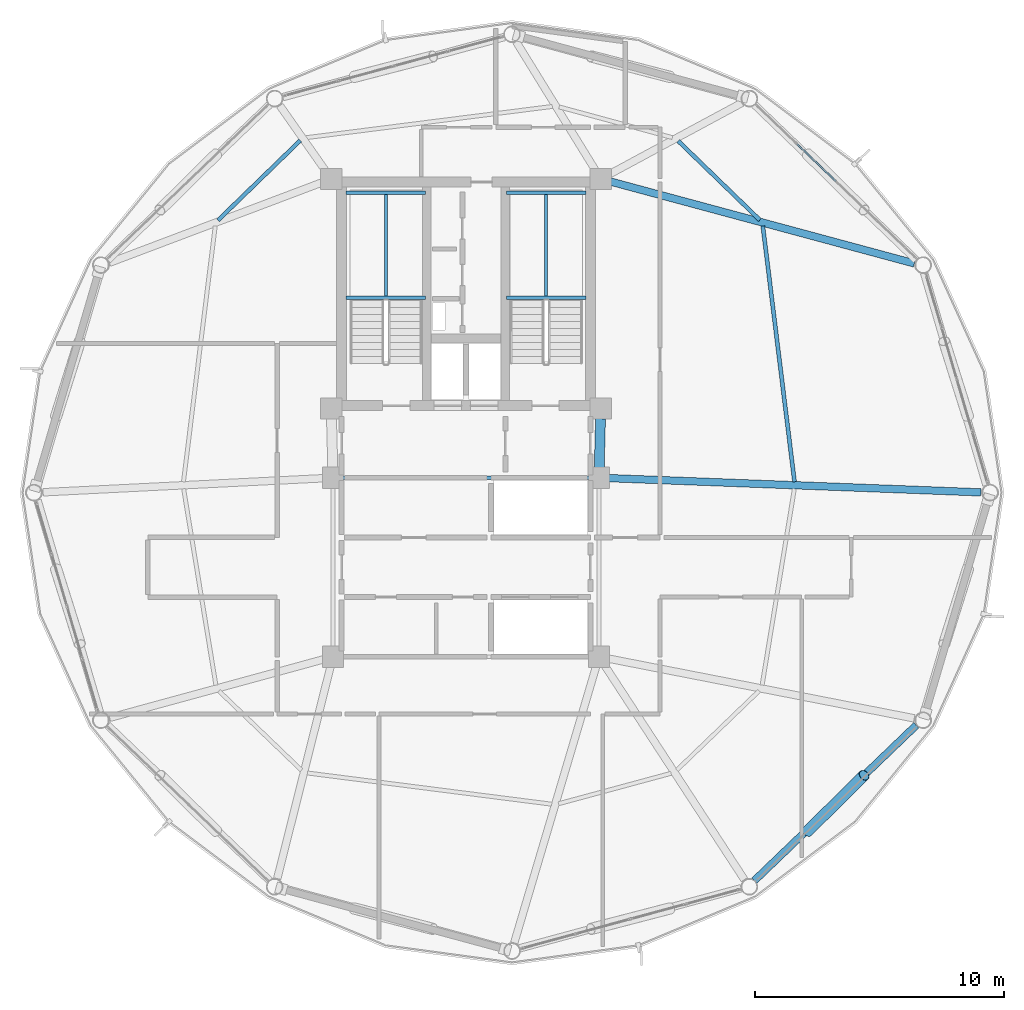
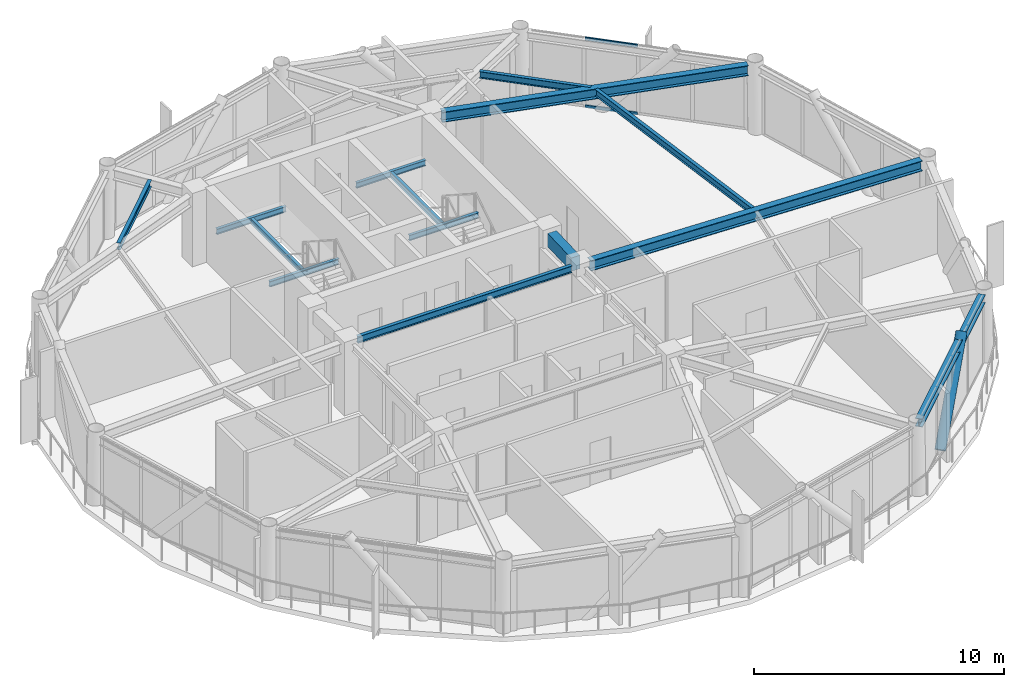
# One storey, part 14 of 28: 14 beams, 3 members, 1 element without a shape of its own.
"""IFC4 building model written with IfcOpenShell, lengths in metres."""

import ifcopenshell
import ifcopenshell.guid

model = None  # the IFC model being written
_history = None  # IfcOwnerHistory: only IFC2X3 demands one
_inside = {}  # id of a spatial element -> (the spatial element, [elements in it])
_under = {}  # id of a project, library or spatial element -> (it, [spatial elements below it])
_declared = {}  # id of a project -> (the project, [libraries it declares])
_typed = {}  # id of a type object -> (the type object, [elements of that type])
_made_of = {}  # id of a material, layer set ... -> (it, [elements and type objects made of it])


def new_model(schema):
    """Start an empty IFC model of exactly this schema.

    Asked for "IFC4X3", IfcOpenShell would pick the latest addendum, in which some entities
    have other attributes; the version numbers below select the first issue.
    IFC2X3 requires an IfcOwnerHistory on every rooted entity: one is made here for all.
    """
    global model, _history
    if schema == "IFC4X3":
        model = ifcopenshell.file(schema_version=(4, 3, 0, 0))
    else:
        model = ifcopenshell.file(schema=schema)
    _inside.clear()
    _under.clear()
    _declared.clear()
    _typed.clear()
    _made_of.clear()
    _history = None
    if model.schema == "IFC2X3":
        org = make("IfcOrganization", Name="unknown")
        user = make(
            "IfcPersonAndOrganization",
            ThePerson=make("IfcPerson", FamilyName="unknown"),
            TheOrganization=org,
        )
        app = make(
            "IfcApplication",
            ApplicationDeveloper=org,
            Version="unknown",
            ApplicationFullName="unknown",
            ApplicationIdentifier="unknown",
        )
        _history = make(
            "IfcOwnerHistory",
            OwningUser=user,
            OwningApplication=app,
            ChangeAction="ADDED",
            CreationDate=0,
        )
    return model


def make(cls, **values):
    """One entity of the class cls with the attributes given. An attribute that is None is left unset."""
    return model.create_entity(
        cls, **{name: value for name, value in values.items() if value is not None}
    )


def rooted(cls, **values):
    """An entity with a GlobalId (a new one), such as an element, a storey or a relation."""
    return make(cls, GlobalId=ifcopenshell.guid.new(), OwnerHistory=_history, **values)


def si_unit(unit_type, name, prefix=None):
    """IfcSIUnit, for example si_unit("LENGTHUNIT", "METRE", prefix="MILLI")."""
    return make("IfcSIUnit", UnitType=unit_type, Prefix=prefix, Name=name)


def assignment(units):
    """IfcUnitAssignment: the units of a project."""
    return None if units is None else make("IfcUnitAssignment", Units=units)


def point(xyz):
    """IfcCartesianPoint."""
    return None if xyz is None else make("IfcCartesianPoint", Coordinates=xyz)


def direction(xyz):
    """IfcDirection."""
    return None if xyz is None else make("IfcDirection", DirectionRatios=xyz)


def frame(location, z_axis=None, x_axis=None):
    """IfcAxis2Placement3D, a coordinate frame: its origin and axes. An axis left out is left unset."""
    return make(
        "IfcAxis2Placement3D",
        Location=point(location),
        Axis=direction(z_axis),
        RefDirection=direction(x_axis),
    )


def frame_2d(location, x_axis=None):
    """IfcAxis2Placement2D, a coordinate frame in the plane: its origin and x axis."""
    return make(
        "IfcAxis2Placement2D", Location=point(location), RefDirection=direction(x_axis)
    )


def origin():
    """The frame at (0, 0, 0) with its axes left unset."""
    return frame((0.0, 0.0, 0.0))


def origin_2d():
    """The frame at (0, 0) in the plane with its x axis left unset."""
    return frame_2d((0.0, 0.0))


def place(relative_to, where):
    """IfcLocalPlacement: puts the frame where relative to a parent placement (None: the world)."""
    return make(
        "IfcLocalPlacement", PlacementRelTo=relative_to, RelativePlacement=where
    )


def context(
    kind, dimensions, precision=None, world=None, true_north=None, identifier=None
):
    """IfcGeometricRepresentationContext, for example the 3D "Model" context."""
    return make(
        "IfcGeometricRepresentationContext",
        ContextIdentifier=identifier,
        ContextType=kind,
        CoordinateSpaceDimension=dimensions,
        Precision=precision,
        WorldCoordinateSystem=world,
        TrueNorth=true_north,
    )


def subcontext(parent, identifier, kind, view, scale=None):
    """IfcGeometricRepresentationSubContext, for example "Body" below "Model"."""
    return make(
        "IfcGeometricRepresentationSubContext",
        ContextIdentifier=identifier,
        ContextType=kind,
        ParentContext=parent,
        TargetScale=scale,
        TargetView=view,
    )


def project(units=None, contexts=None):
    """IfcProject with its units and contexts."""
    return rooted(
        "IfcProject",
        Name="project",
        RepresentationContexts=contexts,
        UnitsInContext=assignment(units),
    )


def spatial(cls, under=None, at=None, **own):
    """A site, building, storey or space (cls), placed at a placement, below another one or the project."""
    s = rooted(cls, ObjectPlacement=at, **own)
    if under is not None:
        _under.setdefault(under.id(), (under, []))[1].append(s)
    return s


def profile(cls, at=None, kind="AREA", **sizes):
    """A parametric profile (cls). Its sizes go by their IFC names, for example OverallWidth=200.0."""
    return make(cls, ProfileType=kind, Position=at, **sizes)


def rectangle(**sizes):
    """IfcRectangleProfileDef."""
    return profile("IfcRectangleProfileDef", **sizes)


def hollow_rectangle(**sizes):
    """IfcRectangleHollowProfileDef."""
    return profile("IfcRectangleHollowProfileDef", **sizes)


def hollow_circle(**sizes):
    """IfcCircleHollowProfileDef."""
    return profile("IfcCircleHollowProfileDef", **sizes)


def i_section(**sizes):
    """IfcIShapeProfileDef."""
    return profile("IfcIShapeProfileDef", **sizes)


def extrude(swept, where, along, depth):
    """IfcExtrudedAreaSolid: the profile swept, set in the frame where, extruded along a direction by depth."""
    return make(
        "IfcExtrudedAreaSolid",
        SweptArea=swept,
        Position=where,
        ExtrudedDirection=direction(along),
        Depth=depth,
    )


def shape(context_of_items, identifier, shape_type, items):
    """IfcShapeRepresentation: the items that make up one representation, for example the "Body"."""
    return make(
        "IfcShapeRepresentation",
        ContextOfItems=context_of_items,
        RepresentationIdentifier=identifier,
        RepresentationType=shape_type,
        Items=items,
    )


def material(Name=None, Category=None):
    """IfcMaterial."""
    return make("IfcMaterial", Name=Name, Category=Category)


def layer(
    of_material, thickness, ventilated=None, Name=None, Category=None, Priority=None
):
    """IfcMaterialLayer: one layer of a wall or slab, of a material (None: an air gap)."""
    return make(
        "IfcMaterialLayer",
        Material=of_material,
        LayerThickness=thickness,
        IsVentilated=ventilated,
        Name=Name,
        Category=Category,
        Priority=Priority,
    )


def layer_set(layers, Name=None):
    """IfcMaterialLayerSet."""
    return make("IfcMaterialLayerSet", MaterialLayers=layers, LayerSetName=Name)


def material_profile(
    of_material, cross_section, Name=None, Category=None, Priority=None
):
    """IfcMaterialProfile: a cross section and its material."""
    return make(
        "IfcMaterialProfile",
        Name=Name,
        Material=of_material,
        Profile=cross_section,
        Priority=Priority,
        Category=Category,
    )


def profile_set(profiles, Name=None, composite=None):
    """IfcMaterialProfileSet."""
    return make(
        "IfcMaterialProfileSet",
        Name=Name,
        MaterialProfiles=profiles,
        CompositeProfile=composite,
    )


def made_of(thing, what):
    """Note that an element or type object is made of a material, layer set ...; save() writes the relation."""
    if what is not None:
        _made_of.setdefault(what.id(), (what, []))[1].append(thing)
    return thing


def type_object(cls, material=None, **own):
    """A type object (cls), such as IfcWallType, which elements share."""
    return made_of(rooted(cls, **own), material)


def element(
    cls,
    number,
    at=None,
    inside=None,
    cuts=None,
    type_object=None,
    material=None,
    context=None,
    identifier="Body",
    shape_type=None,
    held_by="IfcProductDefinitionShape",
    body=None,
    shapes=None,
    **own,
):
    """One element of the class cls, such as IfcWall. Its Tag is "e" and its number.

    at: its placement. inside: the storey or other place that contains it. cuts: it is an
    opening in that element (IfcRelVoidsElement). A single representation is given by context,
    identifier, shape_type and body (its items); several are given by shapes. held_by: the class
    of the entity that holds the representations. save() writes the other relations.
    """
    e = rooted(cls, Tag="e%d" % number, ObjectPlacement=at, **own)
    if body is not None:
        shapes = [shape(context, identifier, shape_type, body)]
    if shapes is not None:
        e.Representation = make(held_by, Representations=shapes)
    if inside is not None:
        _inside.setdefault(inside.id(), (inside, []))[1].append(e)
    if cuts is not None:
        rooted(
            "IfcRelVoidsElement", RelatingBuildingElement=cuts, RelatedOpeningElement=e
        )
    if type_object is not None:
        _typed.setdefault(type_object.id(), (type_object, []))[1].append(e)
    return made_of(e, material)


def aggregate(whole, parts):
    """IfcRelAggregates: a whole, such as a stair, and the parts it consists of."""
    return rooted("IfcRelAggregates", RelatingObject=whole, RelatedObjects=parts)


def save(model, path):
    """Write the relations noted so far, then the file.

    IfcRelAggregates (storeys below a building ...), IfcRelContainedInSpatialStructure (elements
    in a storey), IfcRelDefinesByType, IfcRelAssociatesMaterial and IfcRelDeclares: one each for
    every whole, place, type object, material and project.
    """
    for whole, parts in _under.values():
        aggregate(whole, parts)
    for where, things in _inside.values():
        rooted(
            "IfcRelContainedInSpatialStructure",
            RelatedElements=things,
            RelatingStructure=where,
        )
    for kind, things in _typed.values():
        rooted("IfcRelDefinesByType", RelatedObjects=things, RelatingType=kind)
    for what, things in _made_of.values():
        rooted("IfcRelAssociatesMaterial", RelatedObjects=things, RelatingMaterial=what)
    for by, libraries in _declared.values():
        rooted("IfcRelDeclares", RelatingContext=by, RelatedDefinitions=libraries)
    model.write(path)


model = new_model("IFC4")

# Units and contexts
model_context = context("Model", 3, precision=1e-05, world=origin(), true_north=direction((0.0, 1.0)))
body_context = subcontext(model_context, "Body", "Model", "MODEL_VIEW")
ifc_project = project(units=[si_unit("LENGTHUNIT", "METRE"), si_unit("AREAUNIT", "SQUARE_METRE"), si_unit("VOLUMEUNIT", "CUBIC_METRE"), si_unit("PLANEANGLEUNIT", "RADIAN"), si_unit("MASSUNIT", "GRAM", prefix="KILO")], contexts=[model_context])

# Site, building, storey
site_placement = place(None, origin())
site = spatial("IfcSite", under=ifc_project, at=site_placement, CompositionType="ELEMENT")
building_placement = place(site_placement, origin())
building = spatial("IfcBuilding", under=site, at=building_placement, Name="Varnakorn Sky Granary", CompositionType="ELEMENT")
storey_placement = place(building_placement, frame((0.0, 0.0, 207.60009765625)))
storey = spatial("IfcBuildingStorey", under=building, at=storey_placement, Name="L52", CompositionType="ELEMENT", Elevation=207.60009765625)

# Beams
ifc_material_1 = material(Name="Concrete C50/60", Category="concrete")
ifc_material_profile_1 = material_profile(ifc_material_1, rectangle(XDim=0.39990234375, YDim=0.64990234375, at=origin_2d()), Name="RC 400x650")
ifc_profile_set_1 = profile_set([ifc_material_profile_1], Name="Concrete C50/60")
beam_type_1 = type_object("IfcBeamType", Name="BM-LIN-650", PredefinedType="LINTEL", material=ifc_profile_set_1)
beam_1_placement = place(storey_placement, frame((8.409912109375, 2.97509765625, 3.034912109375), z_axis=(-0.025270737467, -0.99968064392, 0.0), x_axis=(0.99968064392, -0.025270737467, 0.0)))
element("IfcBeam", 1, at=beam_1_placement, inside=storey, type_object=beam_type_1, Name="Core Spine Framing Beam 2 L52", PredefinedType="LINTEL", context=body_context, shape_type="SweptSolid", body=[
    extrude(rectangle(XDim=0.39990234375, YDim=0.64990234375, at=origin_2d()), origin(), (0.0, 0.0, 1.0), 1.970947265625),
])
ifc_material_2 = material(Name="Steel S355JR", Category="steel")
ifc_material_profile_2 = material_profile(ifc_material_2, i_section(OverallWidth=0.135009765625, OverallDepth=0.27001953125, WebThickness=0.006591796875, FlangeThickness=0.01025390625, at=origin_2d()), Name="IPE 270")
ifc_profile_set_2 = profile_set([ifc_material_profile_2], Name="Steel S355JR")
beam_type_2 = type_object("IfcBeamType", Name="BM-LND-270", PredefinedType="BEAM", material=ifc_profile_set_2)
for number, where, z_axis, x_axis, name in (
    (2, (-1.820068359375, 7.840087890625, 1.46484375), (1.0, 0.0, 0.0), (0.0, 1.0, 0.0), "Stair ST-1 Landing Trimmer Beam A L52-1"),
    (3, (-1.820068359375, 12.06005859375, 1.46484375), (1.0, 0.0, 0.0), (0.0, 1.0, 0.0), "Stair ST-1 Landing Trimmer Beam B L52-1"),
):
    element("IfcBeam", number, at=place(storey_placement, frame(where, z_axis=z_axis, x_axis=x_axis)), inside=storey, type_object=beam_type_2, Name=name, PredefinedType="BEAM", context=body_context, shape_type="SweptSolid", body=[
        extrude(i_section(OverallWidth=0.135009765625, OverallDepth=0.27001953125, WebThickness=0.006591796875, FlangeThickness=0.01025390625, at=origin_2d()), origin(), (0.0, 0.0, 1.0), 3.199951171875),
    ])
beam_2_placement = place(storey_placement, frame((-0.219970703125, 7.840087890625, 1.46484375), z_axis=(0.0, 1.0, 0.0), x_axis=(-1.0, 0.0, 0.0)))
element("IfcBeam", 4, at=beam_2_placement, inside=storey, type_object=beam_type_2, Name="Stair ST-1 Landing Cross Beam C L52-1", PredefinedType="BEAM", context=body_context, shape_type="SweptSolid", body=[
    extrude(i_section(OverallWidth=0.135009765625, OverallDepth=0.27001953125, WebThickness=0.006591796875, FlangeThickness=0.01025390625, at=origin_2d()), origin(), (0.0, 0.0, 1.0), 4.219970703125),
])
for number, where, z_axis, x_axis, name in (
    (5, (4.6201171875, 7.840087890625, 1.46484375), (1.0, 0.0, 0.0), (0.0, 1.0, 0.0), "Stair ST-2 Landing Trimmer Beam A L52-1"),
    (6, (4.6201171875, 12.06005859375, 1.46484375), (1.0, 0.0, 0.0), (0.0, 1.0, 0.0), "Stair ST-2 Landing Trimmer Beam B L52-1"),
):
    element("IfcBeam", number, at=place(storey_placement, frame(where, z_axis=z_axis, x_axis=x_axis)), inside=storey, type_object=beam_type_2, Name=name, PredefinedType="BEAM", context=body_context, shape_type="SweptSolid", body=[
        extrude(i_section(OverallWidth=0.135009765625, OverallDepth=0.27001953125, WebThickness=0.006591796875, FlangeThickness=0.01025390625, at=origin_2d()), origin(), (0.0, 0.0, 1.0), 3.199951171875),
    ])
beam_3_placement = place(storey_placement, frame((6.219970703125, 7.840087890625, 1.46484375), z_axis=(0.0, 1.0, 0.0), x_axis=(-1.0, 0.0, 0.0)))
element("IfcBeam", 7, at=beam_3_placement, inside=storey, type_object=beam_type_2, Name="Stair ST-2 Landing Cross Beam C L52-1", PredefinedType="BEAM", context=body_context, shape_type="SweptSolid", body=[
    extrude(i_section(OverallWidth=0.135009765625, OverallDepth=0.27001953125, WebThickness=0.006591796875, FlangeThickness=0.01025390625, at=origin_2d()), origin(), (0.0, 0.0, 1.0), 4.219970703125),
])
ifc_material_profile_3 = material_profile(ifc_material_2, i_section(OverallWidth=0.300048828125, OverallDepth=0.5, WebThickness=0.014404296875, FlangeThickness=0.028076171875, at=origin_2d()), Name="HE 500 B")
ifc_profile_set_3 = profile_set([ifc_material_profile_3], Name="Steel S355JR")
beam_type_3 = type_object("IfcBeamType", Name="BM-RAD-Z4", PredefinedType="BEAM", material=ifc_profile_set_3)
beam_4_placement = place(storey_placement, frame((8.754638671875, 0.58447265625, 3.10986328125), z_axis=(0.999268530336, -0.038241394859, 0.0), x_axis=(0.038241394859, 0.999268530336, 0.0)))
element("IfcBeam", 8, at=beam_4_placement, inside=storey, type_object=beam_type_3, Name="Radial Floor Girder RG01 L52", PredefinedType="BEAM", context=body_context, shape_type="SweptSolid", body=[
    extrude(i_section(OverallWidth=0.300048828125, OverallDepth=0.5, WebThickness=0.014404296875, FlangeThickness=0.028076171875, at=origin_2d()), origin(), (0.0, 0.0, 1.0), 14.964599609375),
])
beam_5_placement = place(storey_placement, frame((8.81103515625, 12.5146484375, 3.10986328125), z_axis=(0.965534520759, -0.260275026121, 0.0), x_axis=(0.260275026121, 0.965534520759, 0.0)))
element("IfcBeam", 9, at=beam_5_placement, inside=storey, type_object=beam_type_3, Name="Radial Floor Girder RG02 L52", PredefinedType="BEAM", context=body_context, shape_type="SweptSolid", body=[
    extrude(i_section(OverallWidth=0.300048828125, OverallDepth=0.5, WebThickness=0.014404296875, FlangeThickness=0.028076171875, at=origin_2d()), origin(), (0.0, 0.0, 1.0), 12.658447265625),
])
ifc_material_profile_4 = material_profile(ifc_material_2, i_section(OverallWidth=0.159912109375, OverallDepth=0.330078125, WebThickness=0.007568359375, FlangeThickness=0.011474609375, at=origin_2d()), Name="IPE 330")
ifc_profile_set_4 = profile_set([ifc_material_profile_4], Name="Steel S355JR")
beam_type_4 = type_object("IfcBeamType", Name="BM-SEC-Z4", PredefinedType="BEAM", material=ifc_profile_set_4)
beam_6_placement = place(storey_placement, frame((16.214111328125, 0.437255859375, 3.19482421875), z_axis=(-0.122919070512, 0.992416697816, 0.0), x_axis=(-0.992416697816, -0.122919070512, 0.0)))
element("IfcBeam", 10, at=beam_6_placement, inside=storey, type_object=beam_type_4, Name="Secondary Floor Chord Beam MSB01 L52", PredefinedType="BEAM", context=body_context, shape_type="SweptSolid", body=[
    extrude(i_section(OverallWidth=0.159912109375, OverallDepth=0.330078125, WebThickness=0.007568359375, FlangeThickness=0.011474609375, at=origin_2d()), origin(), (0.0, 0.0, 1.0), 10.369873046875),
])
beam_7_placement = place(storey_placement, frame((14.821533203125, 10.964599609375, 3.19482421875), z_axis=(-0.718354374353, 0.69567736261, 0.0), x_axis=(-0.69567736261, -0.718354374353, 0.0)))
element("IfcBeam", 11, at=beam_7_placement, inside=storey, type_object=beam_type_4, Name="Secondary Floor Chord Beam MSB02 L52", PredefinedType="BEAM", context=body_context, shape_type="SweptSolid", body=[
    extrude(i_section(OverallWidth=0.159912109375, OverallDepth=0.330078125, WebThickness=0.007568359375, FlangeThickness=0.011474609375, at=origin_2d()), origin(), (0.0, 0.0, 1.0), 4.575439453125),
])
beam_8_placement = place(storey_placement, frame((-3.6708984375, 14.1630859375, 3.19482421875), z_axis=(-0.717568203399, -0.696488243598, 0.0), x_axis=(0.696488243598, -0.717568203399, 0.0)))
element("IfcBeam", 12, at=beam_8_placement, inside=storey, type_object=beam_type_4, Name="Secondary Floor Chord Beam MSB05 L52", PredefinedType="BEAM", context=body_context, shape_type="SweptSolid", body=[
    extrude(i_section(OverallWidth=0.159912109375, OverallDepth=0.330078125, WebThickness=0.007568359375, FlangeThickness=0.011474609375, at=origin_2d()), origin(), (0.0, 0.0, 1.0), 4.597900390625),
])
beam_9_placement = place(storey_placement, frame((-1.945068359375, 0.60009765625, 3.19482421875), z_axis=(1.0, 0.0, 0.0), x_axis=(0.0, 1.0, 0.0)))
element("IfcBeam", 13, at=beam_9_placement, inside=storey, type_object=beam_type_4, Name="Core Spine Framing Beam 5 L52", PredefinedType="BEAM", context=body_context, shape_type="SweptSolid", body=[
    extrude(i_section(OverallWidth=0.159912109375, OverallDepth=0.330078125, WebThickness=0.007568359375, FlangeThickness=0.011474609375, at=origin_2d()), origin(), (0.0, 0.0, 1.0), 9.89013671875),
])
ifc_material_profile_5 = material_profile(ifc_material_2, i_section(OverallWidth=0.300048828125, OverallDepth=0.39990234375, WebThickness=0.013427734375, FlangeThickness=0.02392578125, at=origin_2d()), Name="HE 400 B")
ifc_profile_set_5 = profile_set([ifc_material_profile_5], Name="Steel S355JR")
beam_type_5 = type_object("IfcBeamType", Name="BM-SPD-Z4", PredefinedType="SPANDREL", material=ifc_profile_set_5)
beam_10_placement = place(storey_placement, frame((14.59619140625, -15.609375, 3.159912109375), z_axis=(0.72139758679, 0.692521134532, 0.0), x_axis=(-0.692521134532, 0.72139758679, 0.0)))
element("IfcBeam", 14, at=beam_10_placement, inside=storey, type_object=beam_type_5, Name="Perimeter Spandrel Ring Beam RB11 L52", PredefinedType="SPANDREL", context=body_context, shape_type="SweptSolid", body=[
    extrude(i_section(OverallWidth=0.300048828125, OverallDepth=0.39990234375, WebThickness=0.013427734375, FlangeThickness=0.02392578125, at=origin_2d()), origin(), (0.0, 0.0, 1.0), 9.029541015625),
])

# Curtain wall, members
ifc_material_3 = material(Name="Anodised Bronze Aluminium Alloy 6063-T6", Category="aluminium")
ifc_layer = layer(ifc_material_3, 0.169921875, Name="Anodised Bronze Aluminium Alloy 6063-T6")
ifc_layer_set = layer_set([ifc_layer], Name="Anodised Bronze Aluminium Alloy 6063-T6")
curtain_wall_type = type_object("IfcCurtainWallType", Name="CW-LAB-1", PredefinedType="USERDEFINED", material=ifc_layer_set)
curtain_wall_placement = place(storey_placement, origin())
curtain_wall = element("IfcCurtainWall", 15, at=curtain_wall_placement, inside=storey, type_object=curtain_wall_type, Name="Unitised Curtain Wall CW5 CW-L52-B02", ObjectType="CURTAIN WALL", PredefinedType="USERDEFINED")
ifc_material_profile_6 = material_profile(ifc_material_3, hollow_rectangle(XDim=0.070068359375, YDim=0.139892578125, WallThickness=0.00341796875, at=origin_2d()), Name="ALU TRAN 70x140")
ifc_profile_set_6 = profile_set([ifc_material_profile_6], Name="Anodised Bronze Aluminium Alloy 6063-T6")
member_type_1 = type_object("IfcMemberType", Name="CW-LAB-1-TRAN", PredefinedType="USERDEFINED", material=ifc_profile_set_6)
member_1_placement = place(storey_placement, frame((16.31494140625, 14.02392578125, 0.034912109375), z_axis=(0.721969397067, -0.691924988491, 0.0), x_axis=(0.691924988491, 0.721969397067, 0.0)))
member_1 = element("IfcMember", 16, at=member_1_placement, type_object=member_type_1, Name="CW5 transom 2.1", ObjectType="TRANSOM", PredefinedType="USERDEFINED", context=body_context, shape_type="SweptSolid", body=[
    extrude(hollow_rectangle(XDim=0.070068359375, YDim=0.139892578125, WallThickness=0.00341796875, at=origin_2d()), origin(), (0.0, 0.0, 1.0), 2.16162109375),
])
member_2_placement = place(storey_placement, frame((16.31494140625, 14.02392578125, 3.324951171875), z_axis=(0.721969397067, -0.691924988491, 0.0), x_axis=(0.691924988491, 0.721969397067, 0.0)))
member_2 = element("IfcMember", 17, at=member_2_placement, type_object=member_type_1, Name="CW5 transom 2.2", ObjectType="TRANSOM", PredefinedType="USERDEFINED", context=body_context, shape_type="SweptSolid", body=[
    extrude(hollow_rectangle(XDim=0.070068359375, YDim=0.139892578125, WallThickness=0.00341796875, at=origin_2d()), origin(), (0.0, 0.0, 1.0), 2.16162109375),
])
aggregate(curtain_wall, [member_1, member_2])

# Member
ifc_material_4 = material(Name="Steel S460M", Category="steel")
ifc_material_profile_7 = material_profile(ifc_material_4, hollow_circle(Radius=0.228515625, WallThickness=0.01611328125, at=origin_2d()), Name="CHS 457x16")
ifc_profile_set_7 = profile_set([ifc_material_profile_7], Name="Steel S460M")
member_type_2 = type_object("IfcMemberType", Name="MB-DIAG-T3", PredefinedType="BRACE", material=ifc_profile_set_7)
member_3_placement = place(storey_placement, frame((16.7333984375, -13.622802734375, -0.130126953125), z_axis=(0.471652416332, 0.466200954329, 0.748465542527), x_axis=(-0.702984704357, 0.711204967249, 0.0)))
element("IfcMember", 18, at=member_3_placement, inside=storey, type_object=member_type_2, Name="Perimeter CHS Diagrid Brace DG11 L52", PredefinedType="BRACE", context=body_context, shape_type="SweptSolid", body=[
    extrude(hollow_circle(Radius=0.228515625, WallThickness=0.01611328125, at=origin_2d()), origin(), (0.0, 0.0, 1.0), 4.836669921875),
])

save(model, "model.ifc")
